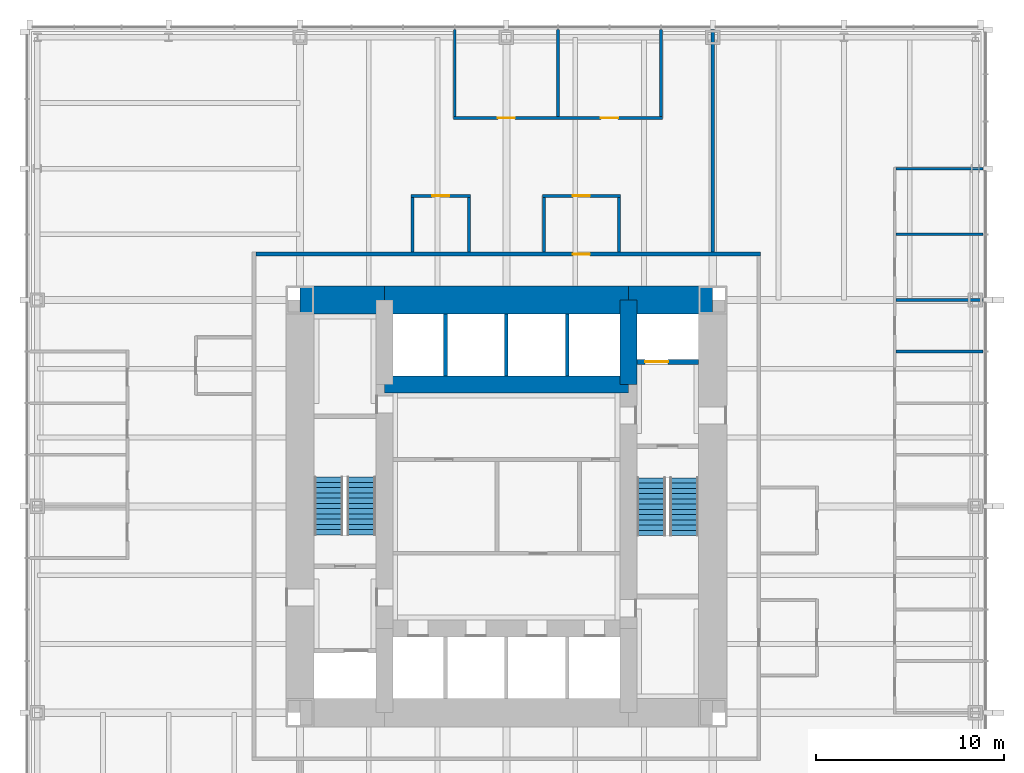
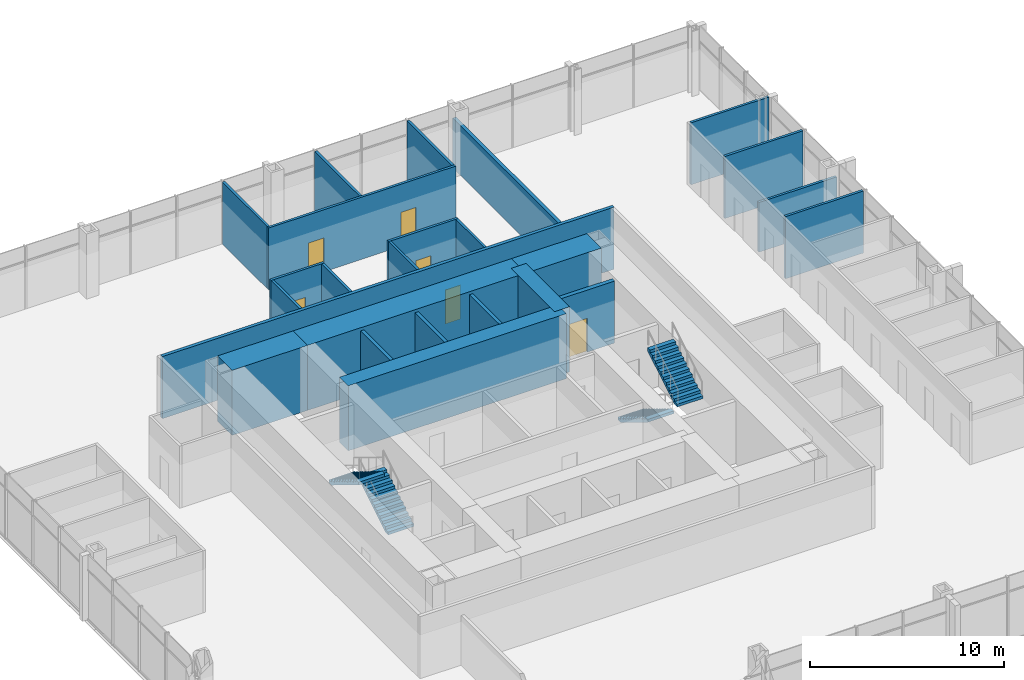
# One storey, part 11 of 12: 25 walls, 6 doors, 4 stair flights, 6 openings, 2 elements without a shape of their own.
"""IFC4 building model written with IfcOpenShell, lengths in metres."""

from ifc_helpers import new_model, si_unit, direction, frame, frame_2d, origin, place, context, subcontext, project, spatial, polyline, rectangle, outline, extrude, material, layer, layer_set, type_object, element, fill, aggregate, save


model = new_model("IFC4")

# Units and contexts
model_context = context("Model", 3, precision=1e-05, world=origin(), true_north=direction((0.0, 1.0)))
body_context = subcontext(model_context, "Body", "Model", "MODEL_VIEW")
ifc_project = project(units=[si_unit("LENGTHUNIT", "METRE"), si_unit("AREAUNIT", "SQUARE_METRE"), si_unit("VOLUMEUNIT", "CUBIC_METRE"), si_unit("PLANEANGLEUNIT", "RADIAN"), si_unit("MASSUNIT", "GRAM", prefix="KILO")], contexts=[model_context])

# Site, building, storey
site_placement = place(None, origin())
site = spatial("IfcSite", under=ifc_project, at=site_placement, CompositionType="ELEMENT")
building_placement = place(site_placement, origin())
building = spatial("IfcBuilding", under=site, at=building_placement, Name="Trevanion Tower", CompositionType="ELEMENT")
storey_placement = place(building_placement, frame((0.0, 0.0, 52.89990234375)))
storey = spatial("IfcBuildingStorey", under=building, at=storey_placement, Name="L12", CompositionType="ELEMENT", Elevation=52.89990234375)

# Walls
ifc_material_1 = material(Name="Concrete 10,000 psi", Category="concrete")
ifc_layer_1 = layer(ifc_material_1, 1.5)
ifc_layer_set_1 = layer_set([ifc_layer_1], Name="CW1 core wall 1500")
wall_type_1 = type_object("IfcWallType", Name="CW1 core wall 1500", PredefinedType="SHEAR", material=ifc_layer_set_1)
wall_1_placement = place(storey_placement, frame((11.0, 11.0, 0.0), z_axis=(0.0, 0.0, 1.0), x_axis=(-1.0, 0.0, 0.0)))
element("IfcWall", 1, at=wall_1_placement, inside=storey, type_object=wall_type_1, Name="CW1 CN1 L12", PredefinedType="SHEAR", context=body_context, shape_type="SweptSolid", body=[
    extrude(rectangle(XDim=4.5, YDim=1.5, at=frame_2d((2.25, 0.0))), origin(), (0.0, 0.0, 1.0), 4.10009765625),
])
wall_2_placement = place(storey_placement, frame((6.5, 11.0, 0.0), z_axis=(0.0, 0.0, 1.0), x_axis=(-1.0, 0.0, 0.0)))
element("IfcWall", 2, at=wall_2_placement, inside=storey, type_object=wall_type_1, Name="CW1 CN2 L12", PredefinedType="SHEAR", context=body_context, shape_type="SweptSolid", body=[
    extrude(rectangle(XDim=13.0, YDim=1.5, at=frame_2d((6.5, 0.0))), origin(), (0.0, 0.0, 1.0), 4.10009765625),
])
wall_3_placement = place(storey_placement, frame((-6.5, 11.0, 0.0), z_axis=(0.0, 0.0, 1.0), x_axis=(-1.0, 0.0, 0.0)))
element("IfcWall", 3, at=wall_3_placement, inside=storey, type_object=wall_type_1, Name="CW1 CN3 L12", PredefinedType="SHEAR", context=body_context, shape_type="SweptSolid", body=[
    extrude(rectangle(XDim=4.5, YDim=1.5, at=frame_2d((2.25, 0.0))), origin(), (0.0, 0.0, 1.0), 4.10009765625),
])
ifc_material_2 = material(Name="Concrete 10,000 psi", Category="concrete")
ifc_layer_2 = layer(ifc_material_2, 0.89990234375)
ifc_layer_set_2 = layer_set([ifc_layer_2], Name="CW2 core wall 900")
wall_type_2 = type_object("IfcWallType", Name="CW2 core wall 900", PredefinedType="SHEAR", material=ifc_layer_set_2)
wall_4_placement = place(storey_placement, frame((6.5, 6.5, 0.0), z_axis=(0.0, 0.0, 1.0), x_axis=(0.0, 1.0, 0.0)))
element("IfcWall", 4, at=wall_4_placement, inside=storey, type_object=wall_type_2, Name="CW2 RE3 L12", PredefinedType="SHEAR", context=body_context, shape_type="SweptSolid", body=[
    extrude(rectangle(XDim=4.5, YDim=0.89990234375, at=frame_2d((2.25, 0.0))), origin(), (0.0, 0.0, 1.0), 4.10009765625),
])
wall_5_placement = place(storey_placement, frame((6.5, 6.5, 0.0), z_axis=(0.0, 0.0, 1.0), x_axis=(-1.0, 0.0, 0.0)))
element("IfcWall", 5, at=wall_5_placement, inside=storey, type_object=wall_type_2, Name="CW2 RN L12", PredefinedType="SHEAR", context=body_context, shape_type="SweptSolid", body=[
    extrude(rectangle(XDim=13.0, YDim=0.89990234375, at=frame_2d((6.5, 0.0))), origin(), (0.0, 0.0, 1.0), 4.10009765625),
])
ifc_material_3 = material(Name="Gypsum board on steel studs", Category="steel")
ifc_layer_3 = layer(ifc_material_3, 0.14990234375)
ifc_layer_set_3 = layer_set([ifc_layer_3], Name="PT1 partition 150")
wall_type_3 = type_object("IfcWallType", Name="PT1 partition 150", PredefinedType="PARTITIONING", material=ifc_layer_set_3)
wall_6_placement = place(storey_placement, frame((20.77490234375, 8.25, 0.0), z_axis=(0.0, 0.0, 1.0), x_axis=(1.0, 0.0, 0.0)))
element("IfcWall", 6, at=wall_6_placement, inside=storey, type_object=wall_type_3, Name="PT1 L12 FC0S7", PredefinedType="PARTITIONING", context=body_context, shape_type="SweptSolid", body=[
    extrude(rectangle(XDim=4.64013671875, YDim=0.14990234375, at=frame_2d((2.320068359375, 0.0))), origin(), (0.0, 0.0, 1.0), 3.91015625),
])
wall_7_placement = place(storey_placement, frame((20.77490234375, 11.0, 0.0), z_axis=(0.0, 0.0, 1.0), x_axis=(1.0, 0.0, 0.0)))
element("IfcWall", 7, at=wall_7_placement, inside=storey, type_object=wall_type_3, Name="PT1 L12 FC0S8", PredefinedType="PARTITIONING", context=body_context, shape_type="SweptSolid", body=[
    extrude(rectangle(XDim=4.64013671875, YDim=0.14990234375, at=frame_2d((2.320068359375, 0.0))), origin(), (0.0, 0.0, 1.0), 3.13037109375),
])
for number, where, z_axis, x_axis, name in (
    (8, (20.77490234375, 14.5, 0.0), (0.0, 0.0, 1.0), (1.0, 0.0, 0.0), "PT1 L12 FC0S9"),
    (9, (20.77490234375, 18.0, 0.0), (0.0, 0.0, 1.0), (1.0, 0.0, 0.0), "PT1 L12 FC0S10"),
):
    element("IfcWall", number, at=place(storey_placement, frame(where, z_axis=z_axis, x_axis=x_axis)), inside=storey, type_object=wall_type_3, Name=name, PredefinedType="PARTITIONING", context=body_context, shape_type="SweptSolid", body=[
        extrude(rectangle(XDim=4.64013671875, YDim=0.14990234375, at=frame_2d((2.320068359375, 0.0))), origin(), (0.0, 0.0, 1.0), 3.91015625),
    ])

# Wall, openings, doors
wall_8_placement = place(storey_placement, frame((8.324951171875, 20.699951171875, 0.0), z_axis=(0.0, 0.0, 1.0), x_axis=(-1.0, 0.0, 0.0)))
wall_8 = element("IfcWall", 10, at=wall_8_placement, inside=storey, type_object=wall_type_3, Name="PT1 L12 FC1F", PredefinedType="PARTITIONING", context=body_context, shape_type="SweptSolid", body=[
    extrude(rectangle(XDim=11.14990234375, YDim=0.14990234375, at=frame_2d((5.574951171875, 0.0))), origin(), (0.0, 0.0, 1.0), 3.91015625),
])
opening_1_placement = place(wall_8_placement, frame((2.367431640625, 0.0, 0.0)))
opening_1 = element("IfcOpeningElement", 11, at=opening_1_placement, cuts=wall_8, Name="Opening 12-032", PredefinedType="OPENING", context=body_context, shape_type="SweptSolid", body=[
    extrude(rectangle(XDim=0.9150390625, YDim=2.134033203125, at=frame_2d((0.45751953125, 1.06689453125))), frame((0.0, 0.0849609375, 0.0), z_axis=(0.0, -1.0, 0.0), x_axis=(1.0, 0.0, 0.0)), (0.0, 0.0, 1.0), 0.169921875),
])
opening_2_placement = place(wall_8_placement, frame((7.867431640625, 0.0, 0.0)))
opening_2 = element("IfcOpeningElement", 12, at=opening_2_placement, cuts=wall_8, Name="Opening 12-033", PredefinedType="OPENING", context=body_context, shape_type="SweptSolid", body=[
    extrude(rectangle(XDim=0.9150390625, YDim=2.134033203125, at=frame_2d((0.45751953125, 1.06689453125))), frame((0.0, 0.0849609375, 0.0), z_axis=(0.0, -1.0, 0.0), x_axis=(1.0, 0.0, 0.0)), (0.0, 0.0, 1.0), 0.169921875),
])
ifc_material_4 = material(Name="Timber veneer, solid core", Category="wood")
door_type_1 = type_object("IfcDoorType", Name="D1 office and meeting room door", OperationType="SINGLE_SWING_LEFT", PredefinedType="DOOR", material=ifc_material_4)
door_1_placement = place(opening_1_placement, origin())
door_1 = element("IfcDoor", 13, at=door_1_placement, inside=storey, type_object=door_type_1, Name="Door 12-032", OperationType="SINGLE_SWING_LEFT", OverallHeight=2.134033203125, OverallWidth=0.9150390625, PredefinedType="DOOR", context=body_context, shape_type="SweptSolid", body=[
    extrude(rectangle(XDim=0.9150390625, YDim=2.134033203125, at=frame_2d((0.45751953125, 1.06689453125))), frame((0.0, 0.02490234375, 0.0), z_axis=(0.0, -1.0, 0.0), x_axis=(1.0, 0.0, 0.0)), (0.0, 0.0, 1.0), 0.050048828125),
])
fill(opening_1, door_1)
door_2_placement = place(opening_2_placement, origin())
door_2 = element("IfcDoor", 14, at=door_2_placement, inside=storey, type_object=door_type_1, Name="Door 12-033", OperationType="SINGLE_SWING_LEFT", OverallHeight=2.134033203125, OverallWidth=0.9150390625, PredefinedType="DOOR", context=body_context, shape_type="SweptSolid", body=[
    extrude(rectangle(XDim=0.9150390625, YDim=2.134033203125, at=frame_2d((0.45751953125, 1.06689453125))), frame((0.0, 0.02490234375, 0.0), z_axis=(0.0, -1.0, 0.0), x_axis=(1.0, 0.0, 0.0)), (0.0, 0.0, 1.0), 0.050048828125),
])
fill(opening_2, door_2)

# Walls
for number, where, z_axis, x_axis, name in (
    (15, (8.25, 20.77490234375, 0.0), (0.0, 0.0, 1.0), (0.0, 1.0, 0.0), "PT1 L12 FC1S0"),
    (16, (2.75, 20.77490234375, 0.0), (0.0, 0.0, 1.0), (0.0, 1.0, 0.0), "PT1 L12 FC1S2"),
    (17, (-2.75, 20.77490234375, 0.0), (0.0, 0.0, 1.0), (0.0, 1.0, 0.0), "PT1 L12 FC1S4"),
):
    element("IfcWall", number, at=place(storey_placement, frame(where, z_axis=z_axis, x_axis=x_axis)), inside=storey, type_object=wall_type_3, Name=name, PredefinedType="PARTITIONING", context=body_context, shape_type="SweptSolid", body=[
        extrude(rectangle(XDim=4.64013671875, YDim=0.14990234375, at=frame_2d((2.320068359375, 0.0))), origin(), (0.0, 0.0, 1.0), 3.91015625),
    ])

# Wall, opening, door
wall_9_placement = place(storey_placement, frame((6.074951171875, 16.550048828125, 0.0), z_axis=(0.0, 0.0, 1.0), x_axis=(-1.0, 0.0, 0.0)))
wall_9 = element("IfcWall", 18, at=wall_9_placement, inside=storey, type_object=wall_type_3, Name="PT1 L12 IN10F", PredefinedType="PARTITIONING", context=body_context, shape_type="SweptSolid", body=[
    extrude(rectangle(XDim=4.14990234375, YDim=0.14990234375, at=frame_2d((2.074951171875, 0.0))), origin(), (0.0, 0.0, 1.0), 3.91015625),
])
opening_3_placement = place(wall_9_placement, frame((1.617431640625, 0.0, 0.0)))
opening_3 = element("IfcOpeningElement", 19, at=opening_3_placement, cuts=wall_9, Name="Opening 12-037", PredefinedType="OPENING", context=body_context, shape_type="SweptSolid", body=[
    extrude(rectangle(XDim=0.9150390625, YDim=2.134033203125, at=frame_2d((0.45751953125, 1.06689453125))), frame((0.0, 0.0849609375, 0.0), z_axis=(0.0, -1.0, 0.0), x_axis=(1.0, 0.0, 0.0)), (0.0, 0.0, 1.0), 0.169921875),
])
door_3_placement = place(opening_3_placement, origin())
door_3 = element("IfcDoor", 20, at=door_3_placement, inside=storey, type_object=door_type_1, Name="Door 12-037", OperationType="SINGLE_SWING_LEFT", OverallHeight=2.134033203125, OverallWidth=0.9150390625, PredefinedType="DOOR", context=body_context, shape_type="SweptSolid", body=[
    extrude(rectangle(XDim=0.9150390625, YDim=2.134033203125, at=frame_2d((0.45751953125, 1.06689453125))), frame((0.0, 0.02490234375, 0.0), z_axis=(0.0, -1.0, 0.0), x_axis=(1.0, 0.0, 0.0)), (0.0, 0.0, 1.0), 0.050048828125),
])
fill(opening_3, door_3)

# Walls
for number, where, z_axis, x_axis, name in (
    (21, (6.0, 16.47509765625, 0.0), (0.0, 0.0, 1.0), (0.0, -1.0, 0.0), "PT1 L12 IN10S0"),
    (22, (2.0, 16.47509765625, 0.0), (0.0, 0.0, 1.0), (0.0, -1.0, 0.0), "PT1 L12 IN10S1"),
):
    element("IfcWall", number, at=place(storey_placement, frame(where, z_axis=z_axis, x_axis=x_axis)), inside=storey, type_object=wall_type_3, Name=name, PredefinedType="PARTITIONING", context=body_context, shape_type="SweptSolid", body=[
        extrude(rectangle(XDim=2.925048828125, YDim=0.14990234375, at=frame_2d((1.46240234375, 0.0))), origin(), (0.0, 0.0, 1.0), 3.91015625),
    ])

# Wall, opening, door
wall_10_placement = place(storey_placement, frame((-1.925048828125, 16.550048828125, 0.0), z_axis=(0.0, 0.0, 1.0), x_axis=(-1.0, 0.0, 0.0)))
wall_10 = element("IfcWall", 23, at=wall_10_placement, inside=storey, type_object=wall_type_3, Name="PT1 L12 IN11F", PredefinedType="PARTITIONING", context=body_context, shape_type="SweptSolid", body=[
    extrude(rectangle(XDim=3.14990234375, YDim=0.14990234375, at=frame_2d((1.574951171875, 0.0))), origin(), (0.0, 0.0, 1.0), 3.91015625),
])
opening_4_placement = place(wall_10_placement, frame((1.117431640625, 0.0, 0.0)))
opening_4 = element("IfcOpeningElement", 24, at=opening_4_placement, cuts=wall_10, Name="Opening 12-039", PredefinedType="OPENING", context=body_context, shape_type="SweptSolid", body=[
    extrude(rectangle(XDim=0.9150390625, YDim=2.134033203125, at=frame_2d((0.45751953125, 1.06689453125))), frame((0.0, 0.0849609375, 0.0), z_axis=(0.0, -1.0, 0.0), x_axis=(1.0, 0.0, 0.0)), (0.0, 0.0, 1.0), 0.169921875),
])
door_4_placement = place(opening_4_placement, origin())
door_4 = element("IfcDoor", 25, at=door_4_placement, inside=storey, type_object=door_type_1, Name="Door 12-039", OperationType="SINGLE_SWING_LEFT", OverallHeight=2.134033203125, OverallWidth=0.9150390625, PredefinedType="DOOR", context=body_context, shape_type="SweptSolid", body=[
    extrude(rectangle(XDim=0.9150390625, YDim=2.134033203125, at=frame_2d((0.45751953125, 1.06689453125))), frame((0.0, 0.02490234375, 0.0), z_axis=(0.0, -1.0, 0.0), x_axis=(1.0, 0.0, 0.0)), (0.0, 0.0, 1.0), 0.050048828125),
])
fill(opening_4, door_4)

# Walls
for number, where, z_axis, x_axis, name in (
    (26, (-2.0, 16.47509765625, 0.0), (0.0, 0.0, 1.0), (0.0, -1.0, 0.0), "PT1 L12 IN11S0"),
    (27, (-5.0, 16.47509765625, 0.0), (0.0, 0.0, 1.0), (0.0, -1.0, 0.0), "PT1 L12 IN11S1"),
):
    element("IfcWall", number, at=place(storey_placement, frame(where, z_axis=z_axis, x_axis=x_axis)), inside=storey, type_object=wall_type_3, Name=name, PredefinedType="PARTITIONING", context=body_context, shape_type="SweptSolid", body=[
        extrude(rectangle(XDim=2.925048828125, YDim=0.14990234375, at=frame_2d((1.46240234375, 0.0))), origin(), (0.0, 0.0, 1.0), 3.91015625),
    ])

# Wall, opening, door
ifc_material_5 = material(Name="Concrete masonry, grouted", Category="masonry")
ifc_layer_4 = layer(ifc_material_5, 0.199951171875)
ifc_layer_set_4 = layer_set([ifc_layer_4], Name="PT2 partition 200 1 HR")
wall_type_4 = type_object("IfcWallType", Name="PT2 partition 200 1 HR", PredefinedType="PARTITIONING", material=ifc_layer_set_4)
wall_11_placement = place(storey_placement, frame((13.550048828125, 13.449951171875, 0.0), z_axis=(0.0, 0.0, 1.0), x_axis=(-1.0, 0.0, 0.0)))
wall_11 = element("IfcWall", 28, at=wall_11_placement, inside=storey, type_object=wall_type_4, Name="PT2 L12 OC1", PredefinedType="PARTITIONING", context=body_context, shape_type="SweptSolid", body=[
    extrude(rectangle(XDim=26.900146484375, YDim=0.199951171875, at=frame_2d((13.4501953125, 0.0))), origin(), (0.0, 0.0, 1.0), 3.91015625),
])
opening_5_placement = place(wall_11_placement, frame((9.092529296875, 0.0, 0.0)))
opening_5 = element("IfcOpeningElement", 29, at=opening_5_placement, cuts=wall_11, Name="Opening 12-038", PredefinedType="OPENING", context=body_context, shape_type="SweptSolid", body=[
    extrude(rectangle(XDim=0.9150390625, YDim=2.134033203125, at=frame_2d((0.45751953125, 1.06689453125))), frame((0.0, 0.10986328125, 0.0), z_axis=(0.0, -1.0, 0.0), x_axis=(1.0, 0.0, 0.0)), (0.0, 0.0, 1.0), 0.219970703125),
])
ifc_material_6 = material(Name="Timber veneer, fire rated", Category="wood")
door_type_2 = type_object("IfcDoorType", Name="D10 office door in a one hour wall", OperationType="SINGLE_SWING_LEFT", PredefinedType="DOOR", material=ifc_material_6)
door_5_placement = place(opening_5_placement, origin())
door_5 = element("IfcDoor", 30, at=door_5_placement, inside=storey, type_object=door_type_2, Name="Door 12-038", OperationType="SINGLE_SWING_LEFT", OverallHeight=2.134033203125, OverallWidth=0.9150390625, PredefinedType="DOOR", context=body_context, shape_type="SweptSolid", body=[
    extrude(rectangle(XDim=0.9150390625, YDim=2.134033203125, at=frame_2d((0.45751953125, 1.06689453125))), frame((0.0, 0.02490234375, 0.0), z_axis=(0.0, -1.0, 0.0), x_axis=(1.0, 0.0, 0.0)), (0.0, 0.0, 1.0), 0.050048828125),
])
fill(opening_5, door_5)

# Walls
wall_12_placement = place(storey_placement, frame((11.0, 13.550048828125, 0.0), z_axis=(0.0, 0.0, 1.0), x_axis=(0.0, 1.0, 0.0)))
element("IfcWall", 31, at=wall_12_placement, inside=storey, type_object=wall_type_4, Name="PT2 L12 DM0", PredefinedType="PARTITIONING", context=body_context, shape_type="SweptSolid", body=[
    extrude(rectangle(XDim=11.864990234375, YDim=0.199951171875, at=frame_2d((5.9326171875, 0.0))), origin(), (0.0, 0.0, 1.0), 3.13037109375),
])
ifc_material_7 = material(Name="Concrete masonry, grouted", Category="masonry")
ifc_layer_5 = layer(ifc_material_7, 0.199951171875)
ifc_layer_set_5 = layer_set([ifc_layer_5], Name="PT2 partition 200 2 HR")
wall_type_5 = type_object("IfcWallType", Name="PT2 partition 200 2 HR", PredefinedType="PARTITIONING", material=ifc_layer_set_5)
for number, where, z_axis, x_axis, name in (
    (32, (-3.25, 6.949951171875, 0.0), (0.0, 0.0, 1.0), (0.0, 1.0, 0.0), "PT2 L12 NS0"),
    (33, (0.0, 6.949951171875, 0.0), (0.0, 0.0, 1.0), (0.0, 1.0, 0.0), "PT2 L12 NS1"),
    (34, (3.25, 6.949951171875, 0.0), (0.0, 0.0, 1.0), (0.0, 1.0, 0.0), "PT2 L12 NS2"),
):
    element("IfcWall", number, at=place(storey_placement, frame(where, z_axis=z_axis, x_axis=x_axis)), inside=storey, type_object=wall_type_5, Name=name, PredefinedType="PARTITIONING", context=body_context, shape_type="SweptSolid", body=[
        extrude(rectangle(XDim=3.300048828125, YDim=0.199951171875, at=frame_2d((1.64990234375, 0.0))), origin(), (0.0, 0.0, 1.0), 3.91015625),
    ])

# Wall, opening, door
ifc_material_8 = material(Name="Concrete masonry, grouted, two-hour", Category="masonry")
ifc_layer_6 = layer(ifc_material_8, 0.25)
ifc_layer_set_6 = layer_set([ifc_layer_6], Name="PT3 partition 250 2 HR")
wall_type_6 = type_object("IfcWallType", Name="PT3 partition 250 2 HR", PredefinedType="PARTITIONING", material=ifc_layer_set_6)
wall_13_placement = place(storey_placement, frame((6.949951171875, 7.699951171875, 0.0), z_axis=(0.0, 0.0, 1.0), x_axis=(1.0, 0.0, 0.0)))
wall_13 = element("IfcWall", 35, at=wall_13_placement, inside=storey, type_object=wall_type_6, Name="PT3 L12 EP3", PredefinedType="PARTITIONING", context=body_context, shape_type="SweptSolid", body=[
    extrude(rectangle(XDim=3.300048828125, YDim=0.25, at=frame_2d((1.64990234375, 0.0))), origin(), (0.0, 0.0, 1.0), 3.91015625),
])
opening_6_placement = place(wall_13_placement, frame((0.449951171875, 0.0, 0.0)))
opening_6 = element("IfcOpeningElement", 36, at=opening_6_placement, cuts=wall_13, Name="Opening 12-007", PredefinedType="OPENING", context=body_context, shape_type="SweptSolid", body=[
    extrude(rectangle(XDim=1.218994140625, YDim=2.134033203125, at=frame_2d((0.609375, 1.06689453125))), frame((0.0, 0.135009765625, 0.0), z_axis=(0.0, -1.0, 0.0), x_axis=(1.0, 0.0, 0.0)), (0.0, 0.0, 1.0), 0.27001953125),
])
ifc_material_9 = material(Name="Stainless steel, fire rated", Category="steel")
door_type_3 = type_object("IfcDoorType", Name="LD2 fire service lift landing door", OperationType="SLIDING_TO_LEFT", PredefinedType="DOOR", material=ifc_material_9)
door_6_placement = place(opening_6_placement, origin())
door_6 = element("IfcDoor", 37, at=door_6_placement, inside=storey, type_object=door_type_3, Name="Door 12-007", OperationType="SLIDING_TO_LEFT", OverallHeight=2.134033203125, OverallWidth=1.218994140625, PredefinedType="DOOR", context=body_context, shape_type="SweptSolid", body=[
    extrude(rectangle(XDim=1.218994140625, YDim=2.134033203125, at=frame_2d((0.609375, 1.06689453125))), frame((0.0, 0.02490234375, 0.0), z_axis=(0.0, -1.0, 0.0), x_axis=(1.0, 0.0, 0.0)), (0.0, 0.0, 1.0), 0.050048828125),
])
fill(opening_6, door_6)

# Stair, stair flights
ifc_material_10 = material(Name="Concrete 5,000 psi on steel stringers", Category="concrete")
stair_type = type_object("IfcStairType", Name="ST stair", PredefinedType="HALF_TURN_STAIR", material=ifc_material_10)
stair_1_placement = place(storey_placement, origin())
stair_1 = element("IfcStair", 38, at=stair_1_placement, inside=storey, type_object=stair_type, Name="ST1 L12", PredefinedType="HALF_TURN_STAIR")
ifc_material_11 = material(Name="Concrete 5,000 psi in steel pan", Category="concrete")
stair_flight_type = type_object("IfcStairFlightType", Name="STF stair flight", PredefinedType="STRAIGHT", material=ifc_material_11)
stair_flight_1_placement = place(storey_placement, frame((7.72509765625, 1.52490234375, 0.0), z_axis=(0.0, 0.0, 1.0), x_axis=(0.0, -1.0, 0.0)))
stair_flight_1 = element("IfcStairFlight", 39, at=stair_flight_1_placement, type_object=stair_flight_type, Name="ST1 flight 1", NumberOfRisers=12, NumberOfTreads=11, PredefinedType="STRAIGHT", RiserHeight=0.170833333, TreadLength=0.28, context=body_context, shape_type="SweptSolid", body=[
    extrude(outline(polyline([(0.0, 0.0), (0.0, 0.1708984375), (0.280029296875, 0.1708984375), (0.280029296875, 0.341552734375), (0.56005859375, 0.341552734375), (0.56005859375, 0.512451171875), (0.840087890625, 0.512451171875), (0.840087890625, 0.683349609375), (1.1201171875, 0.683349609375), (1.1201171875, 0.854248046875), (1.39990234375, 0.854248046875), (1.39990234375, 1.02490234375), (1.679931640625, 1.02490234375), (1.679931640625, 1.19580078125), (1.9599609375, 1.19580078125), (1.9599609375, 1.36669921875), (2.239990234375, 1.36669921875), (2.239990234375, 1.53759765625), (2.52001953125, 1.53759765625), (2.52001953125, 1.708251953125), (2.800048828125, 1.708251953125), (2.800048828125, 1.879150390625), (3.080078125, 1.879150390625), (3.080078125, 2.050048828125), (3.080078125, 1.70361328125), (0.287841796875, 0.0), (0.0, 0.0)])), frame((0.0, 0.77490234375, 0.0), z_axis=(0.0, -1.0, 0.0), x_axis=(1.0, 0.0, 0.0)), (0.0, 0.0, 1.0), 1.550048828125),
])
stair_flight_2_placement = place(storey_placement, frame((9.47509765625, -1.554931640625, 2.050048828125), z_axis=(0.0, 0.0, 1.0), x_axis=(0.0, 1.0, 0.0)))
stair_flight_2 = element("IfcStairFlight", 40, at=stair_flight_2_placement, type_object=stair_flight_type, Name="ST1 flight 2", NumberOfRisers=12, NumberOfTreads=11, PredefinedType="STRAIGHT", RiserHeight=0.170833333, TreadLength=0.28, context=body_context, shape_type="SweptSolid", body=[
    extrude(outline(polyline([(0.0, 0.0), (0.0, 0.1708984375), (0.280029296875, 0.1708984375), (0.280029296875, 0.341552734375), (0.56005859375, 0.341552734375), (0.56005859375, 0.512451171875), (0.840087890625, 0.512451171875), (0.840087890625, 0.683349609375), (1.1201171875, 0.683349609375), (1.1201171875, 0.854248046875), (1.39990234375, 0.854248046875), (1.39990234375, 1.02490234375), (1.679931640625, 1.02490234375), (1.679931640625, 1.19580078125), (1.9599609375, 1.19580078125), (1.9599609375, 1.36669921875), (2.239990234375, 1.36669921875), (2.239990234375, 1.53759765625), (2.52001953125, 1.53759765625), (2.52001953125, 1.708251953125), (2.800048828125, 1.708251953125), (2.800048828125, 1.879150390625), (3.080078125, 1.879150390625), (3.080078125, 2.050048828125), (3.080078125, 1.70361328125), (0.287841796875, 0.0), (0.0, 0.0)])), frame((0.0, 0.77490234375, 0.0), z_axis=(0.0, -1.0, 0.0), x_axis=(1.0, 0.0, 0.0)), (0.0, 0.0, 1.0), 1.550048828125),
])
aggregate(stair_1, [stair_flight_1, stair_flight_2])

stair_2_placement = place(storey_placement, origin())
stair_2 = element("IfcStair", 41, at=stair_2_placement, inside=storey, type_object=stair_type, Name="ST2 L12", PredefinedType="HALF_TURN_STAIR")
stair_flight_3_placement = place(storey_placement, frame((-7.72509765625, -1.52490234375, 0.0), z_axis=(0.0, 0.0, 1.0), x_axis=(0.0, 1.0, 0.0)))
stair_flight_3 = element("IfcStairFlight", 42, at=stair_flight_3_placement, type_object=stair_flight_type, Name="ST2 flight 1", NumberOfRisers=12, NumberOfTreads=11, PredefinedType="STRAIGHT", RiserHeight=0.170833333, TreadLength=0.28, context=body_context, shape_type="SweptSolid", body=[
    extrude(outline(polyline([(0.0, 0.0), (0.0, 0.1708984375), (0.280029296875, 0.1708984375), (0.280029296875, 0.341552734375), (0.56005859375, 0.341552734375), (0.56005859375, 0.512451171875), (0.840087890625, 0.512451171875), (0.840087890625, 0.683349609375), (1.1201171875, 0.683349609375), (1.1201171875, 0.854248046875), (1.39990234375, 0.854248046875), (1.39990234375, 1.02490234375), (1.679931640625, 1.02490234375), (1.679931640625, 1.19580078125), (1.9599609375, 1.19580078125), (1.9599609375, 1.36669921875), (2.239990234375, 1.36669921875), (2.239990234375, 1.53759765625), (2.52001953125, 1.53759765625), (2.52001953125, 1.708251953125), (2.800048828125, 1.708251953125), (2.800048828125, 1.879150390625), (3.080078125, 1.879150390625), (3.080078125, 2.050048828125), (3.080078125, 1.70361328125), (0.287841796875, 0.0), (0.0, 0.0)])), frame((0.0, 0.77490234375, 0.0), z_axis=(0.0, -1.0, 0.0), x_axis=(1.0, 0.0, 0.0)), (0.0, 0.0, 1.0), 1.550048828125),
])
stair_flight_4_placement = place(storey_placement, frame((-9.47509765625, 1.554931640625, 2.050048828125), z_axis=(0.0, 0.0, 1.0), x_axis=(0.0, -1.0, 0.0)))
stair_flight_4 = element("IfcStairFlight", 43, at=stair_flight_4_placement, type_object=stair_flight_type, Name="ST2 flight 2", NumberOfRisers=12, NumberOfTreads=11, PredefinedType="STRAIGHT", RiserHeight=0.170833333, TreadLength=0.28, context=body_context, shape_type="SweptSolid", body=[
    extrude(outline(polyline([(0.0, 0.0), (0.0, 0.1708984375), (0.280029296875, 0.1708984375), (0.280029296875, 0.341552734375), (0.56005859375, 0.341552734375), (0.56005859375, 0.512451171875), (0.840087890625, 0.512451171875), (0.840087890625, 0.683349609375), (1.1201171875, 0.683349609375), (1.1201171875, 0.854248046875), (1.39990234375, 0.854248046875), (1.39990234375, 1.02490234375), (1.679931640625, 1.02490234375), (1.679931640625, 1.19580078125), (1.9599609375, 1.19580078125), (1.9599609375, 1.36669921875), (2.239990234375, 1.36669921875), (2.239990234375, 1.53759765625), (2.52001953125, 1.53759765625), (2.52001953125, 1.708251953125), (2.800048828125, 1.708251953125), (2.800048828125, 1.879150390625), (3.080078125, 1.879150390625), (3.080078125, 2.050048828125), (3.080078125, 1.70361328125), (0.287841796875, 0.0), (0.0, 0.0)])), frame((0.0, 0.77490234375, 0.0), z_axis=(0.0, -1.0, 0.0), x_axis=(1.0, 0.0, 0.0)), (0.0, 0.0, 1.0), 1.550048828125),
])
aggregate(stair_2, [stair_flight_3, stair_flight_4])

save(model, "model.ifc")
